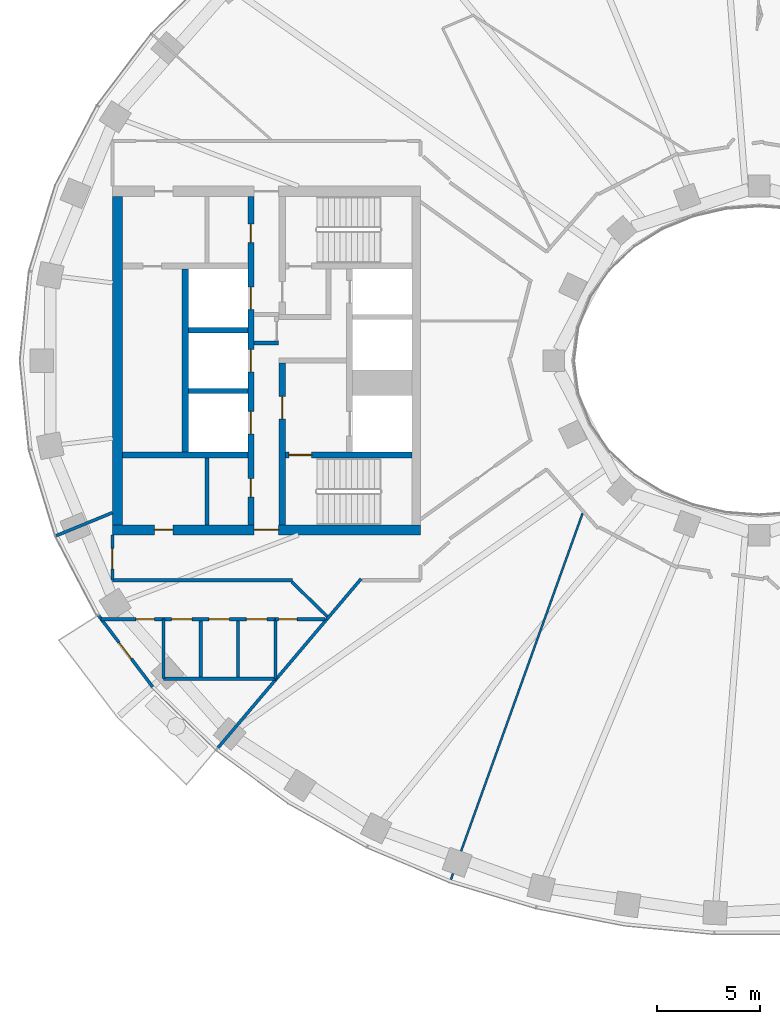
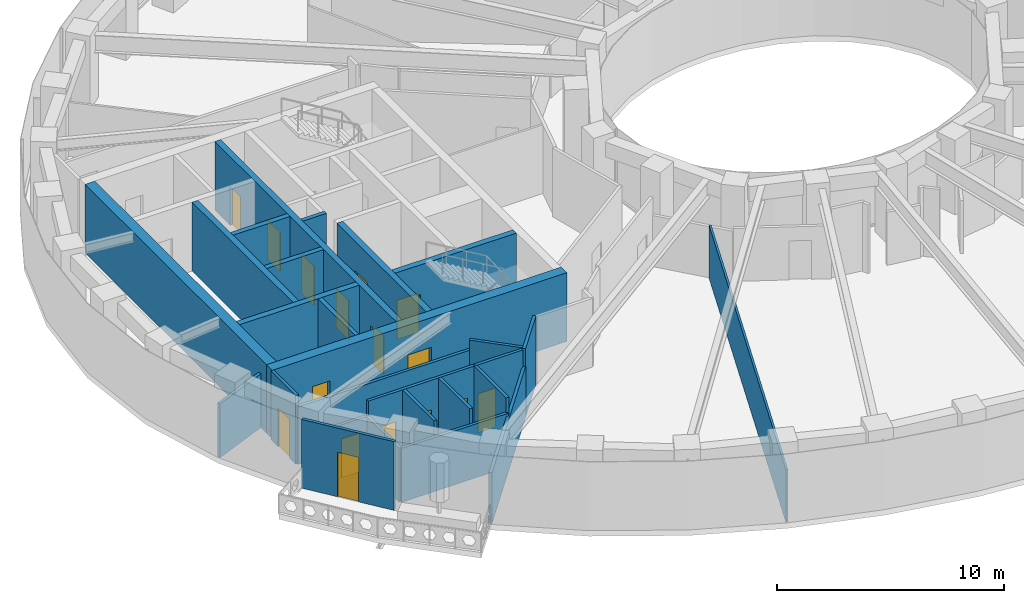
# One storey, part 3 of 16: 27 walls, 16 doors, 16 openings.
"""IFC4 building model written with IfcOpenShell, lengths in metres."""

from ifc_helpers import new_model, si_unit, direction, frame, frame_2d, origin, place, context, subcontext, project, spatial, rectangle, extrude, material, layer, layer_set, type_object, element, fill, save


model = new_model("IFC4")

# Units and contexts
model_context = context("Model", 3, precision=1e-05, world=origin(), true_north=direction((0.0, 1.0)))
body_context = subcontext(model_context, "Body", "Model", "MODEL_VIEW")
ifc_project = project(units=[si_unit("LENGTHUNIT", "METRE"), si_unit("AREAUNIT", "SQUARE_METRE"), si_unit("VOLUMEUNIT", "CUBIC_METRE"), si_unit("PLANEANGLEUNIT", "RADIAN"), si_unit("MASSUNIT", "GRAM", prefix="KILO")], contexts=[model_context])

# Site, building, storey
site_placement = place(None, origin())
site = spatial("IfcSite", under=ifc_project, at=site_placement, CompositionType="ELEMENT")
building_placement = place(site_placement, origin())
building = spatial("IfcBuilding", under=site, at=building_placement, Name="Noorbagh Ring Tower", CompositionType="ELEMENT")
storey_placement = place(building_placement, frame((0.0, 0.0, 186.0)))
storey = spatial("IfcBuildingStorey", under=building, at=storey_placement, Name="L43", CompositionType="ELEMENT", Elevation=186.0)

# Wall, opening, door
ifc_material_1 = material(Name="Gypsum board on steel studs", Category="steel")
ifc_layer_1 = layer(ifc_material_1, 0.14990234375)
ifc_layer_set_1 = layer_set([ifc_layer_1], Name="Gypsum board on steel studs")
wall_type_1 = type_object("IfcWallType", Name="COMPARTMENT PARTITION 150 EI 60", PredefinedType="PARTITIONING", material=ifc_layer_set_1)
wall_1_placement = place(storey_placement, frame((-32.06298828125, -12.60009765625, 0.0), z_axis=(0.0, 0.0, 1.0), x_axis=(1.0, 0.0, 0.0)))
wall_1 = element("IfcWall", 1, at=wall_1_placement, inside=storey, type_object=wall_type_1, Name="L43/wall/P02", PredefinedType="PARTITIONING", context=body_context, shape_type="SweptSolid", body=[
    extrude(rectangle(XDim=3.046875, YDim=0.14990234375, at=frame_2d((1.5234375, 0.0))), origin(), (0.0, 0.0, 1.0), 2.89990234375),
])
opening_1_placement = place(wall_1_placement, frame((1.712890625, 0.0, 0.0)))
opening_1 = element("IfcOpeningElement", 2, at=opening_1_placement, cuts=wall_1, Name="Opening D4", PredefinedType="OPENING", context=body_context, shape_type="SweptSolid", body=[
    extrude(rectangle(XDim=0.89990234375, YDim=2.10009765625, at=frame_2d((0.449951171875, 1.050048828125))), frame((0.0, 0.0849609375, 0.0), z_axis=(0.0, -1.0, 0.0), x_axis=(1.0, 0.0, 0.0)), (0.0, 0.0, 1.0), 0.169921875),
])
ifc_material_2 = material(Name="Timber, painted", Category="wood")
door_type_1 = type_object("IfcDoorType", Name="DOOR 900 X 2100 FD60", OperationType="SINGLE_SWING_LEFT", PredefinedType="DOOR", material=ifc_material_2)
door_1_placement = place(opening_1_placement, origin())
door_1 = element("IfcDoor", 3, at=door_1_placement, inside=storey, type_object=door_type_1, Name="L43-D05", OperationType="SINGLE_SWING_RIGHT", OverallHeight=2.10009765625, OverallWidth=0.89990234375, PredefinedType="DOOR", context=body_context, shape_type="SweptSolid", body=[
    extrude(rectangle(XDim=0.89990234375, YDim=2.10009765625, at=frame_2d((0.449951171875, 1.050048828125))), frame((0.0, 0.02490234375, 0.0), z_axis=(0.0, -1.0, 0.0), x_axis=(1.0, 0.0, 0.0)), (0.0, 0.0, 1.0), 0.050048828125),
])
fill(opening_1, door_1)

# Walls
wall_2_placement = place(storey_placement, frame((-29.01611328125, -15.49609375, 0.0), z_axis=(0.0, 0.0, 1.0), x_axis=(0.0, 1.0, 0.0)))
element("IfcWall", 4, at=wall_2_placement, inside=storey, type_object=wall_type_1, Name="L43/wall/P08", PredefinedType="PARTITIONING", context=body_context, shape_type="SweptSolid", body=[
    extrude(rectangle(XDim=2.89599609375, YDim=0.14990234375, at=frame_2d((1.447998046875, 0.0))), origin(), (0.0, 0.0, 1.0), 2.89990234375),
])
wall_3_placement = place(storey_placement, frame((-29.011962890625, -15.5, 0.0), z_axis=(0.0, 0.0, 1.0), x_axis=(1.0, 0.0, 0.0)))
element("IfcWall", 5, at=wall_3_placement, inside=storey, type_object=wall_type_1, Name="L43/wall/P10", PredefinedType="PARTITIONING", context=body_context, shape_type="SweptSolid", body=[
    extrude(rectangle(XDim=5.4560546875, YDim=0.14990234375, at=frame_2d((2.72802734375, 0.0))), origin(), (0.0, 0.0, 1.0), 2.89990234375),
])
wall_4_placement = place(storey_placement, frame((-26.427978515625, -18.946044921875, 0.0), z_axis=(0.0, 0.0, 1.0), x_axis=(0.646259235329, 0.763117946816, 0.0)))
element("IfcWall", 6, at=wall_4_placement, inside=storey, type_object=wall_type_1, Name="L43/wall/P12", PredefinedType="PARTITIONING", context=body_context, shape_type="SweptSolid", body=[
    extrude(rectangle(XDim=8.38818359375, YDim=0.14990234375, at=frame_2d((4.194091796875, 0.0))), origin(), (0.0, 0.0, 1.0), 2.75),
])
wall_5_placement = place(storey_placement, frame((-23.555908203125, -15.5, 0.0), z_axis=(0.0, 0.0, 1.0), x_axis=(0.0, 1.0, 0.0)))
element("IfcWall", 7, at=wall_5_placement, inside=storey, type_object=wall_type_1, Name="L43/wall/P14", PredefinedType="PARTITIONING", context=body_context, shape_type="SweptSolid", body=[
    extrude(rectangle(XDim=2.89990234375, YDim=0.14990234375, at=frame_2d((1.449951171875, 0.0))), origin(), (0.0, 0.0, 1.0), 3.699951171875),
])

# Wall, opening, door
wall_6_placement = place(storey_placement, frame((-23.555908203125, -12.60009765625, 0.0), z_axis=(0.0, 0.0, 1.0), x_axis=(1.0, 0.0, 0.0)))
wall_6 = element("IfcWall", 8, at=wall_6_placement, inside=storey, type_object=wall_type_1, Name="L43/wall/P15", PredefinedType="PARTITIONING", context=body_context, shape_type="SweptSolid", body=[
    extrude(rectangle(XDim=2.39990234375, YDim=0.14990234375, at=frame_2d((1.199951171875, 0.0))), origin(), (0.0, 0.0, 1.0), 3.699951171875),
])
opening_2_placement = place(wall_6_placement, frame((0.14990234375, 0.0, 0.0)))
opening_2 = element("IfcOpeningElement", 9, at=opening_2_placement, cuts=wall_6, Name="Opening D4", PredefinedType="OPENING", context=body_context, shape_type="SweptSolid", body=[
    extrude(rectangle(XDim=0.89990234375, YDim=2.10009765625, at=frame_2d((0.449951171875, 1.050048828125))), frame((0.0, 0.0849609375, 0.0), z_axis=(0.0, -1.0, 0.0), x_axis=(1.0, 0.0, 0.0)), (0.0, 0.0, 1.0), 0.169921875),
])
door_2_placement = place(opening_2_placement, origin())
door_2 = element("IfcDoor", 10, at=door_2_placement, inside=storey, type_object=door_type_1, Name="L43-D04", OperationType="SINGLE_SWING_LEFT", OverallHeight=2.10009765625, OverallWidth=0.89990234375, PredefinedType="DOOR", context=body_context, shape_type="SweptSolid", body=[
    extrude(rectangle(XDim=0.89990234375, YDim=2.10009765625, at=frame_2d((0.449951171875, 1.050048828125))), frame((0.0, 0.02490234375, 0.0), z_axis=(0.0, -1.0, 0.0), x_axis=(1.0, 0.0, 0.0)), (0.0, 0.0, 1.0), 0.050048828125),
])
fill(opening_2, door_2)

# Walls
ifc_material_3 = material(Name="Gypsum board on steel studs", Category="steel")
ifc_layer_2 = layer(ifc_material_3, 0.199951171875)
ifc_layer_set_2 = layer_set([ifc_layer_2], Name="Gypsum board on steel studs")
wall_type_2 = type_object("IfcWallType", Name="CORE-PARTITION-200", PredefinedType="PARTITIONING", material=ifc_layer_set_2)
wall_7_placement = place(storey_placement, frame((-23.39990234375, 0.85009765625, 0.0), z_axis=(0.0, 0.0, 1.0), x_axis=(-1.0, 0.0, 0.0)))
element("IfcWall", 11, at=wall_7_placement, inside=storey, type_object=wall_type_2, Name="Core partition W", PredefinedType="PARTITIONING", context=body_context, shape_type="SweptSolid", body=[
    extrude(rectangle(XDim=1.2001953125, YDim=0.199951171875, at=frame_2d((0.60009765625, 0.0))), origin(), (0.0, 0.0, 1.0), 3.699951171875),
])
wall_8_placement = place(storey_placement, frame((-26.89990234375, -8.0, 0.0), z_axis=(0.0, 0.0, 1.0), x_axis=(0.0, 1.0, 0.0)))
element("IfcWall", 12, at=wall_8_placement, inside=storey, type_object=wall_type_2, Name="Core partition W", PredefinedType="PARTITIONING", context=body_context, shape_type="SweptSolid", body=[
    extrude(rectangle(XDim=3.25, YDim=0.199951171875, at=frame_2d((1.625, 0.0))), origin(), (0.0, 0.0, 1.0), 3.699951171875),
])
ifc_material_4 = material(Name="Concrete C60/75", Category="concrete")
ifc_layer_3 = layer(ifc_material_4, 0.25)
ifc_layer_set_3 = layer_set([ifc_layer_3], Name="Concrete C60/75")
wall_type_3 = type_object("IfcWallType", Name="CORE-WALL-250-C60-75-EI120", PredefinedType="SHEAR", material=ifc_layer_set_3)
for number, where, z_axis, x_axis, name in (
    (13, (-24.89990234375, -1.47509765625, 0.0), (0.0, 0.0, 1.0), (-1.0, 0.0, 0.0), "Core wall W"),
    (14, (-24.89990234375, 1.47509765625, 0.0), (0.0, 0.0, 1.0), (-1.0, 0.0, 0.0), "Core wall W"),
):
    element("IfcWall", number, at=place(storey_placement, frame(where, z_axis=z_axis, x_axis=x_axis)), inside=storey, type_object=wall_type_3, Name=name, PredefinedType="SHEAR", context=body_context, shape_type="SweptSolid", body=[
        extrude(rectangle(XDim=2.900146484375, YDim=0.25, at=frame_2d((1.4501953125, 0.0))), origin(), (0.0, 0.0, 1.0), 3.699951171875),
    ])
ifc_material_5 = material(Name="Concrete C60/75", Category="concrete")
ifc_layer_4 = layer(ifc_material_5, 0.300048828125)
ifc_layer_set_4 = layer_set([ifc_layer_4], Name="Concrete C60/75")
wall_type_4 = type_object("IfcWallType", Name="CORE-WALL-300-C60-75-EI120", PredefinedType="SHEAR", material=ifc_layer_set_4)
wall_9_placement = place(storey_placement, frame((-27.949951171875, -4.449951171875, 0.0), z_axis=(0.0, 0.0, 1.0), x_axis=(0.0, 1.0, 0.0)))
element("IfcWall", 15, at=wall_9_placement, inside=storey, type_object=wall_type_4, Name="Core wall W", PredefinedType="SHEAR", context=body_context, shape_type="SweptSolid", body=[
    extrude(rectangle(XDim=8.89990234375, YDim=0.300048828125, at=frame_2d((4.449951171875, 0.0))), origin(), (0.0, 0.0, 1.0), 3.699951171875),
])

# Wall, openings, doors
wall_10_placement = place(storey_placement, frame((-24.75, -8.0, 0.0), z_axis=(0.0, 0.0, 1.0), x_axis=(0.0, 1.0, 0.0)))
wall_10 = element("IfcWall", 16, at=wall_10_placement, inside=storey, type_object=wall_type_4, Name="Core wall W", PredefinedType="SHEAR", context=body_context, shape_type="SweptSolid", body=[
    extrude(rectangle(XDim=16.0, YDim=0.300048828125, at=frame_2d((8.0, 0.0))), origin(), (0.0, 0.0, 1.0), 3.699951171875),
])
opening_3_placement = place(wall_10_placement, frame((4.425048828125, 0.0, 0.0)))
opening_3 = element("IfcOpeningElement", 17, at=opening_3_placement, cuts=wall_10, Name="Opening L43-CW03", PredefinedType="OPENING", context=body_context, shape_type="SweptSolid", body=[
    extrude(rectangle(XDim=1.10009765625, YDim=2.10009765625, at=frame_2d((0.550048828125, 1.050048828125))), frame((0.0, 0.16015625, 0.0), z_axis=(0.0, -1.0, 0.0), x_axis=(1.0, 0.0, 0.0)), (0.0, 0.0, 1.0), 0.320068359375),
])
opening_4_placement = place(wall_10_placement, frame((7.449951171875, 0.0, 0.0)))
opening_4 = element("IfcOpeningElement", 18, at=opening_4_placement, cuts=wall_10, Name="Opening L43-CW04", PredefinedType="OPENING", context=body_context, shape_type="SweptSolid", body=[
    extrude(rectangle(XDim=1.10009765625, YDim=2.10009765625, at=frame_2d((0.550048828125, 1.050048828125))), frame((0.0, 0.16015625, 0.0), z_axis=(0.0, -1.0, 0.0), x_axis=(1.0, 0.0, 0.0)), (0.0, 0.0, 1.0), 0.320068359375),
])
opening_5_placement = place(wall_10_placement, frame((10.47509765625, 0.0, 0.0)))
opening_5 = element("IfcOpeningElement", 19, at=opening_5_placement, cuts=wall_10, Name="Opening L43-CW05", PredefinedType="OPENING", context=body_context, shape_type="SweptSolid", body=[
    extrude(rectangle(XDim=1.10009765625, YDim=2.10009765625, at=frame_2d((0.550048828125, 1.050048828125))), frame((0.0, 0.16015625, 0.0), z_axis=(0.0, -1.0, 0.0), x_axis=(1.0, 0.0, 0.0)), (0.0, 0.0, 1.0), 0.320068359375),
])
opening_6_placement = place(wall_10_placement, frame((13.75, 0.0, 0.0)))
opening_6 = element("IfcOpeningElement", 20, at=opening_6_placement, cuts=wall_10, Name="Opening L43-CW12", PredefinedType="OPENING", context=body_context, shape_type="SweptSolid", body=[
    extrude(rectangle(XDim=0.89990234375, YDim=2.10009765625, at=frame_2d((0.449951171875, 1.050048828125))), frame((0.0, 0.16015625, 0.0), z_axis=(0.0, -1.0, 0.0), x_axis=(1.0, 0.0, 0.0)), (0.0, 0.0, 1.0), 0.320068359375),
])
opening_7_placement = place(wall_10_placement, frame((1.35009765625, 0.0, 0.0)))
opening_7 = element("IfcOpeningElement", 21, at=opening_7_placement, cuts=wall_10, Name="Opening L43-CW14", PredefinedType="OPENING", context=body_context, shape_type="SweptSolid", body=[
    extrude(rectangle(XDim=0.89990234375, YDim=2.10009765625, at=frame_2d((0.449951171875, 1.050048828125))), frame((0.0, 0.16015625, 0.0), z_axis=(0.0, -1.0, 0.0), x_axis=(1.0, 0.0, 0.0)), (0.0, 0.0, 1.0), 0.320068359375),
])
ifc_material_6 = material(Name="Steel door leaf", Category="steel")
door_type_2 = type_object("IfcDoorType", Name="CORE-DOOR-DROOM", OperationType="SINGLE_SWING_LEFT", PredefinedType="DOOR", material=ifc_material_6)
door_3_placement = place(opening_6_placement, origin())
door_3 = element("IfcDoor", 22, at=door_3_placement, inside=storey, type_object=door_type_2, Name="Core room door L43-CW12", OperationType="SINGLE_SWING_RIGHT", OverallHeight=2.10009765625, OverallWidth=0.89990234375, PredefinedType="DOOR", context=body_context, shape_type="SweptSolid", body=[
    extrude(rectangle(XDim=0.89990234375, YDim=2.10009765625, at=frame_2d((0.449951171875, 1.050048828125))), frame((0.0, 0.02490234375, 0.0), z_axis=(0.0, -1.0, 0.0), x_axis=(1.0, 0.0, 0.0)), (0.0, 0.0, 1.0), 0.050048828125),
])
fill(opening_6, door_3)
door_4_placement = place(opening_7_placement, origin())
door_4 = element("IfcDoor", 23, at=door_4_placement, inside=storey, type_object=door_type_2, Name="Core room door L43-CW14", OperationType="SINGLE_SWING_LEFT", OverallHeight=2.10009765625, OverallWidth=0.89990234375, PredefinedType="DOOR", context=body_context, shape_type="SweptSolid", body=[
    extrude(rectangle(XDim=0.89990234375, YDim=2.10009765625, at=frame_2d((0.449951171875, 1.050048828125))), frame((0.0, 0.02490234375, 0.0), z_axis=(0.0, -1.0, 0.0), x_axis=(1.0, 0.0, 0.0)), (0.0, 0.0, 1.0), 0.050048828125),
])
fill(opening_7, door_4)
ifc_material_7 = material(Name="Steel door leaf", Category="steel")
door_type_3 = type_object("IfcDoorType", Name="CORE-DOOR-LD", OperationType="DOUBLE_DOOR_SLIDING", PredefinedType="DOOR", material=ifc_material_7)
door_5_placement = place(opening_3_placement, origin())
door_5 = element("IfcDoor", 24, at=door_5_placement, inside=storey, type_object=door_type_3, Name="Landing door HR2 L43-CW03", OperationType="DOUBLE_DOOR_SLIDING", OverallHeight=2.10009765625, OverallWidth=1.10009765625, PredefinedType="DOOR", context=body_context, shape_type="SweptSolid", body=[
    extrude(rectangle(XDim=1.10009765625, YDim=2.10009765625, at=frame_2d((0.550048828125, 1.050048828125))), frame((0.0, 0.02490234375, 0.0), z_axis=(0.0, -1.0, 0.0), x_axis=(1.0, 0.0, 0.0)), (0.0, 0.0, 1.0), 0.050048828125),
])
fill(opening_3, door_5)
door_6_placement = place(opening_4_placement, origin())
door_6 = element("IfcDoor", 25, at=door_6_placement, inside=storey, type_object=door_type_3, Name="Landing door HR3 L43-CW04", OperationType="DOUBLE_DOOR_SLIDING", OverallHeight=2.10009765625, OverallWidth=1.10009765625, PredefinedType="DOOR", context=body_context, shape_type="SweptSolid", body=[
    extrude(rectangle(XDim=1.10009765625, YDim=2.10009765625, at=frame_2d((0.550048828125, 1.050048828125))), frame((0.0, 0.02490234375, 0.0), z_axis=(0.0, -1.0, 0.0), x_axis=(1.0, 0.0, 0.0)), (0.0, 0.0, 1.0), 0.050048828125),
])
fill(opening_4, door_6)
door_7_placement = place(opening_5_placement, origin())
door_7 = element("IfcDoor", 26, at=door_7_placement, inside=storey, type_object=door_type_3, Name="Landing door HR4 L43-CW05", OperationType="DOUBLE_DOOR_SLIDING", OverallHeight=2.10009765625, OverallWidth=1.10009765625, PredefinedType="DOOR", context=body_context, shape_type="SweptSolid", body=[
    extrude(rectangle(XDim=1.10009765625, YDim=2.10009765625, at=frame_2d((0.550048828125, 1.050048828125))), frame((0.0, 0.02490234375, 0.0), z_axis=(0.0, -1.0, 0.0), x_axis=(1.0, 0.0, 0.0)), (0.0, 0.0, 1.0), 0.050048828125),
])
fill(opening_5, door_7)

# Wall
ifc_material_8 = material(Name="Concrete C60/75", Category="concrete")
ifc_layer_5 = layer(ifc_material_8, 0.300048828125)
ifc_layer_set_5 = layer_set([ifc_layer_5], Name="Concrete C60/75")
wall_type_5 = type_object("IfcWallType", Name="CORE-WALL-300-C60-75-EI240", PredefinedType="SHEAR", material=ifc_layer_set_5)
wall_11_placement = place(storey_placement, frame((-24.89990234375, -4.60009765625, 0.0), z_axis=(0.0, 0.0, 1.0), x_axis=(-1.0, 0.0, 0.0)))
element("IfcWall", 27, at=wall_11_placement, inside=storey, type_object=wall_type_5, Name="Core wall W", PredefinedType="SHEAR", context=body_context, shape_type="SweptSolid", body=[
    extrude(rectangle(XDim=6.10009765625, YDim=0.300048828125, at=frame_2d((3.050048828125, 0.0))), origin(), (0.0, 0.0, 1.0), 3.699951171875),
])

# Wall, opening, door
wall_12_placement = place(storey_placement, frame((-23.22998046875, -8.0, 0.0), z_axis=(0.0, 0.0, 1.0), x_axis=(0.0, 1.0, 0.0)))
wall_12 = element("IfcWall", 28, at=wall_12_placement, inside=storey, type_object=wall_type_5, Name="Core wall W", PredefinedType="SHEAR", context=body_context, shape_type="SweptSolid", body=[
    extrude(rectangle(XDim=7.875, YDim=0.300048828125, at=frame_2d((3.9375, 0.0))), origin(), (0.0, 0.0, 1.0), 3.699951171875),
])
opening_8_placement = place(wall_12_placement, frame((5.14990234375, 0.0, 0.0)))
opening_8 = element("IfcOpeningElement", 29, at=opening_8_placement, cuts=wall_12, Name="Opening L43-CW08", PredefinedType="OPENING", context=body_context, shape_type="SweptSolid", body=[
    extrude(rectangle(XDim=1.10009765625, YDim=2.10009765625, at=frame_2d((0.550048828125, 1.050048828125))), frame((0.0, 0.16015625, 0.0), z_axis=(0.0, -1.0, 0.0), x_axis=(1.0, 0.0, 0.0)), (0.0, 0.0, 1.0), 0.320068359375),
])
ifc_material_9 = material(Name="Steel door leaf", Category="steel")
door_type_4 = type_object("IfcDoorType", Name="CORE-DOOR-DFF", OperationType="SINGLE_SWING_LEFT", PredefinedType="DOOR", material=ifc_material_9)
door_8_placement = place(opening_8_placement, origin())
door_8 = element("IfcDoor", 30, at=door_8_placement, inside=storey, type_object=door_type_4, Name="Firefighting lobby door L43-CW08", OperationType="SINGLE_SWING_LEFT", OverallHeight=2.10009765625, OverallWidth=1.10009765625, PredefinedType="DOOR", context=body_context, shape_type="SweptSolid", body=[
    extrude(rectangle(XDim=1.10009765625, YDim=2.10009765625, at=frame_2d((0.550048828125, 1.050048828125))), frame((0.0, 0.02490234375, 0.0), z_axis=(0.0, -1.0, 0.0), x_axis=(1.0, 0.0, 0.0)), (0.0, 0.0, 1.0), 0.050048828125),
])
fill(opening_8, door_8)

wall_13_placement = place(storey_placement, frame((-16.89990234375, -4.60009765625, 0.0), z_axis=(0.0, 0.0, 1.0), x_axis=(-1.0, 0.0, 0.0)))
wall_13 = element("IfcWall", 31, at=wall_13_placement, inside=storey, type_object=wall_type_5, Name="Core wall W", PredefinedType="SHEAR", context=body_context, shape_type="SweptSolid", body=[
    extrude(rectangle(XDim=6.18017578125, YDim=0.300048828125, at=frame_2d((3.090087890625, 0.0))), origin(), (0.0, 0.0, 1.0), 3.699951171875),
])
opening_9_placement = place(wall_13_placement, frame((4.89990234375, 0.0, 0.0)))
opening_9 = element("IfcOpeningElement", 32, at=opening_9_placement, cuts=wall_13, Name="Opening L43-CW07", PredefinedType="OPENING", context=body_context, shape_type="SweptSolid", body=[
    extrude(rectangle(XDim=1.10009765625, YDim=2.10009765625, at=frame_2d((0.550048828125, 1.050048828125))), frame((0.0, 0.16015625, 0.0), z_axis=(0.0, -1.0, 0.0), x_axis=(1.0, 0.0, 0.0)), (0.0, 0.0, 1.0), 0.320068359375),
])
ifc_material_10 = material(Name="Steel door leaf", Category="steel")
door_type_5 = type_object("IfcDoorType", Name="CORE-DOOR-DSTAIR", OperationType="SINGLE_SWING_LEFT", PredefinedType="DOOR", material=ifc_material_10)
door_9_placement = place(opening_9_placement, origin())
door_9 = element("IfcDoor", 33, at=door_9_placement, inside=storey, type_object=door_type_5, Name="Stair door ST2 L43-CW07", OperationType="SINGLE_SWING_LEFT", OverallHeight=2.10009765625, OverallWidth=1.10009765625, PredefinedType="DOOR", context=body_context, shape_type="SweptSolid", body=[
    extrude(rectangle(XDim=1.10009765625, YDim=2.10009765625, at=frame_2d((0.550048828125, 1.050048828125))), frame((0.0, 0.02490234375, 0.0), z_axis=(0.0, -1.0, 0.0), x_axis=(1.0, 0.0, 0.0)), (0.0, 0.0, 1.0), 0.050048828125),
])
fill(opening_9, door_9)

# Wall, openings, doors
ifc_material_11 = material(Name="Concrete C60/75", Category="concrete")
ifc_layer_6 = layer(ifc_material_11, 0.5)
ifc_layer_set_6 = layer_set([ifc_layer_6], Name="Concrete C60/75")
wall_type_6 = type_object("IfcWallType", Name="CORE-WALL-500-C60-75-EI240", PredefinedType="SHEAR", material=ifc_layer_set_6)
wall_14_placement = place(storey_placement, frame((-16.5, -8.25, 0.0), z_axis=(0.0, 0.0, 1.0), x_axis=(-1.0, 0.0, 0.0)))
wall_14 = element("IfcWall", 34, at=wall_14_placement, inside=storey, type_object=wall_type_6, Name="Core wall W", PredefinedType="SHEAR", context=body_context, shape_type="SweptSolid", body=[
    extrude(rectangle(XDim=15.0, YDim=0.5, at=frame_2d((7.5, 0.0))), origin(), (0.0, 0.0, 1.0), 3.699951171875),
])
opening_10_placement = place(wall_14_placement, frame((6.89990234375, 0.0, 0.0)))
opening_10 = element("IfcOpeningElement", 35, at=opening_10_placement, cuts=wall_14, Name="Opening L43-CW11", PredefinedType="OPENING", context=body_context, shape_type="SweptSolid", body=[
    extrude(rectangle(XDim=1.199951171875, YDim=2.10009765625, at=frame_2d((0.60009765625, 1.050048828125))), frame((0.0, 0.260009765625, 0.0), z_axis=(0.0, -1.0, 0.0), x_axis=(1.0, 0.0, 0.0)), (0.0, 0.0, 1.0), 0.52001953125),
])
opening_11_placement = place(wall_14_placement, frame((12.050048828125, 0.0, 0.0)))
opening_11 = element("IfcOpeningElement", 36, at=opening_11_placement, cuts=wall_14, Name="Opening L43-CW15", PredefinedType="OPENING", context=body_context, shape_type="SweptSolid", body=[
    extrude(rectangle(XDim=0.89990234375, YDim=2.10009765625, at=frame_2d((0.449951171875, 1.050048828125))), frame((0.0, 0.260009765625, 0.0), z_axis=(0.0, -1.0, 0.0), x_axis=(1.0, 0.0, 0.0)), (0.0, 0.0, 1.0), 0.52001953125),
])
door_10_placement = place(opening_11_placement, origin())
door_10 = element("IfcDoor", 37, at=door_10_placement, inside=storey, type_object=door_type_2, Name="Core room door L43-CW15", OperationType="SINGLE_SWING_LEFT", OverallHeight=2.10009765625, OverallWidth=0.89990234375, PredefinedType="DOOR", context=body_context, shape_type="SweptSolid", body=[
    extrude(rectangle(XDim=0.89990234375, YDim=2.10009765625, at=frame_2d((0.449951171875, 1.050048828125))), frame((0.0, 0.02490234375, 0.0), z_axis=(0.0, -1.0, 0.0), x_axis=(1.0, 0.0, 0.0)), (0.0, 0.0, 1.0), 0.050048828125),
])
fill(opening_11, door_10)
ifc_material_12 = material(Name="Steel door leaf", Category="steel")
door_type_6 = type_object("IfcDoorType", Name="CORE-DOOR-PORT", OperationType="DOUBLE_DOOR_DOUBLE_SWING", PredefinedType="DOOR", material=ifc_material_12)
door_11_placement = place(opening_10_placement, origin())
door_11 = element("IfcDoor", 38, at=door_11_placement, inside=storey, type_object=door_type_6, Name="Core entrance door L43-CW11", OperationType="DOUBLE_DOOR_DOUBLE_SWING", OverallHeight=2.10009765625, OverallWidth=1.199951171875, PredefinedType="DOOR", context=body_context, shape_type="SweptSolid", body=[
    extrude(rectangle(XDim=1.199951171875, YDim=2.10009765625, at=frame_2d((0.60009765625, 1.050048828125))), frame((0.0, 0.02490234375, 0.0), z_axis=(0.0, -1.0, 0.0), x_axis=(1.0, 0.0, 0.0)), (0.0, 0.0, 1.0), 0.050048828125),
])
fill(opening_10, door_11)

# Walls
wall_15_placement = place(storey_placement, frame((-31.25, -8.0, 0.0), z_axis=(0.0, 0.0, 1.0), x_axis=(0.0, 1.0, 0.0)))
element("IfcWall", 39, at=wall_15_placement, inside=storey, type_object=wall_type_6, Name="Core wall W", PredefinedType="SHEAR", context=body_context, shape_type="SweptSolid", body=[
    extrude(rectangle(XDim=16.0, YDim=0.5, at=frame_2d((8.0, 0.0))), origin(), (0.0, 0.0, 1.0), 3.699951171875),
])
ifc_material_13 = material(Name="Gypsum board on steel studs", Category="steel")
ifc_layer_7 = layer(ifc_material_13, 0.14990234375)
ifc_layer_set_7 = layer_set([ifc_layer_7], Name="Gypsum board on steel studs")
wall_type_7 = type_object("IfcWallType", Name="CORRIDOR PARTITION 150 EI 30", PredefinedType="PARTITIONING", material=ifc_layer_set_7)
wall_16_placement = place(storey_placement, frame((-34.23388671875, -8.530029296875, 0.0), z_axis=(0.0, 0.0, 1.0), x_axis=(0.925344112436, 0.379128307542, 0.0)))
element("IfcWall", 40, at=wall_16_placement, inside=storey, type_object=wall_type_7, Name="L43/wall/P01", PredefinedType="PARTITIONING", context=body_context, shape_type="SweptSolid", body=[
    extrude(rectangle(XDim=2.954345703125, YDim=0.14990234375, at=frame_2d((1.47705078125, 0.0))), origin(), (0.0, 0.0, 1.0), 2.89990234375),
])

# Wall, opening, door
wall_17_placement = place(storey_placement, frame((-31.5, -10.699951171875, 0.0), z_axis=(0.0, 0.0, 1.0), x_axis=(0.0, 1.0, 0.0)))
wall_17 = element("IfcWall", 41, at=wall_17_placement, inside=storey, type_object=wall_type_7, Name="L43/wall/P03", PredefinedType="PARTITIONING", context=body_context, shape_type="SweptSolid", body=[
    extrude(rectangle(XDim=2.199951171875, YDim=0.14990234375, at=frame_2d((1.10009765625, 0.0))), origin(), (0.0, 0.0, 1.0), 3.699951171875),
])
opening_12_placement = place(wall_17_placement, frame((0.550048828125, 0.0, 0.0)))
opening_12 = element("IfcOpeningElement", 42, at=opening_12_placement, cuts=wall_17, Name="Opening D1", PredefinedType="OPENING", context=body_context, shape_type="SweptSolid", body=[
    extrude(rectangle(XDim=1.0, YDim=2.10009765625, at=frame_2d((0.5, 1.050048828125))), frame((0.0, 0.0849609375, 0.0), z_axis=(0.0, -1.0, 0.0), x_axis=(1.0, 0.0, 0.0)), (0.0, 0.0, 1.0), 0.169921875),
])
ifc_material_14 = material(Name="Timber, painted", Category="wood")
door_type_7 = type_object("IfcDoorType", Name="DOOR 1000 X 2100 FD30", OperationType="SINGLE_SWING_LEFT", PredefinedType="DOOR", material=ifc_material_14)
door_12_placement = place(opening_12_placement, origin())
door_12 = element("IfcDoor", 43, at=door_12_placement, inside=storey, type_object=door_type_7, Name="L43-D21", OperationType="SINGLE_SWING_LEFT", OverallHeight=2.10009765625, OverallWidth=1.0, PredefinedType="DOOR", context=body_context, shape_type="SweptSolid", body=[
    extrude(rectangle(XDim=1.0, YDim=2.10009765625, at=frame_2d((0.5, 1.050048828125))), frame((0.0, 0.02490234375, 0.0), z_axis=(0.0, -1.0, 0.0), x_axis=(1.0, 0.0, 0.0)), (0.0, 0.0, 1.0), 0.050048828125),
])
fill(opening_12, door_12)

# Wall
wall_18_placement = place(storey_placement, frame((-31.5, -10.699951171875, 0.0), z_axis=(0.0, 0.0, 1.0), x_axis=(1.0, 0.0, 0.0)))
element("IfcWall", 44, at=wall_18_placement, inside=storey, type_object=wall_type_7, Name="L43/wall/P04", PredefinedType="PARTITIONING", context=body_context, shape_type="SweptSolid", body=[
    extrude(rectangle(XDim=8.761962890625, YDim=0.14990234375, at=frame_2d((4.380859375, 0.0))), origin(), (0.0, 0.0, 1.0), 3.10009765625),
])

# Wall, openings, doors
wall_19_placement = place(storey_placement, frame((-29.01611328125, -12.60009765625, 0.0), z_axis=(0.0, 0.0, 1.0), x_axis=(1.0, 0.0, 0.0)))
wall_19 = element("IfcWall", 45, at=wall_19_placement, inside=storey, type_object=wall_type_7, Name="L43/wall/P09", PredefinedType="PARTITIONING", context=body_context, shape_type="SweptSolid", body=[
    extrude(rectangle(XDim=5.460205078125, YDim=0.14990234375, at=frame_2d((2.72998046875, 0.0))), origin(), (0.0, 0.0, 1.0), 3.699951171875),
])
opening_13_placement = place(wall_19_placement, frame((0.39990234375, 0.0, 0.0)))
opening_13 = element("IfcOpeningElement", 46, at=opening_13_placement, cuts=wall_19, Name="Opening D3", PredefinedType="OPENING", context=body_context, shape_type="SweptSolid", body=[
    extrude(rectangle(XDim=1.0, YDim=2.10009765625, at=frame_2d((0.5, 1.050048828125))), frame((0.0, 0.0849609375, 0.0), z_axis=(0.0, -1.0, 0.0), x_axis=(1.0, 0.0, 0.0)), (0.0, 0.0, 1.0), 0.169921875),
])
opening_14_placement = place(wall_19_placement, frame((2.219970703125, 0.0, 0.0)))
opening_14 = element("IfcOpeningElement", 47, at=opening_14_placement, cuts=wall_19, Name="Opening D3", PredefinedType="OPENING", context=body_context, shape_type="SweptSolid", body=[
    extrude(rectangle(XDim=1.0, YDim=2.10009765625, at=frame_2d((0.5, 1.050048828125))), frame((0.0, 0.0849609375, 0.0), z_axis=(0.0, -1.0, 0.0), x_axis=(1.0, 0.0, 0.0)), (0.0, 0.0, 1.0), 0.169921875),
])
opening_15_placement = place(wall_19_placement, frame((4.0400390625, 0.0, 0.0)))
opening_15 = element("IfcOpeningElement", 48, at=opening_15_placement, cuts=wall_19, Name="Opening D3", PredefinedType="OPENING", context=body_context, shape_type="SweptSolid", body=[
    extrude(rectangle(XDim=1.0, YDim=2.10009765625, at=frame_2d((0.5, 1.050048828125))), frame((0.0, 0.0849609375, 0.0), z_axis=(0.0, -1.0, 0.0), x_axis=(1.0, 0.0, 0.0)), (0.0, 0.0, 1.0), 0.169921875),
])
ifc_material_15 = material(Name="Timber, painted", Category="wood")
door_type_8 = type_object("IfcDoorType", Name="DOOR 1000 X 2100 WC", OperationType="SINGLE_SWING_LEFT", PredefinedType="DOOR", material=ifc_material_15)
door_13_placement = place(opening_13_placement, origin())
door_13 = element("IfcDoor", 49, at=door_13_placement, inside=storey, type_object=door_type_8, Name="L43-D01", OperationType="SINGLE_SWING_LEFT", OverallHeight=2.10009765625, OverallWidth=1.0, PredefinedType="DOOR", context=body_context, shape_type="SweptSolid", body=[
    extrude(rectangle(XDim=1.0, YDim=2.10009765625, at=frame_2d((0.5, 1.050048828125))), frame((0.0, 0.02490234375, 0.0), z_axis=(0.0, -1.0, 0.0), x_axis=(1.0, 0.0, 0.0)), (0.0, 0.0, 1.0), 0.050048828125),
])
fill(opening_13, door_13)
door_14_placement = place(opening_14_placement, origin())
door_14 = element("IfcDoor", 50, at=door_14_placement, inside=storey, type_object=door_type_8, Name="L43-D02", OperationType="SINGLE_SWING_RIGHT", OverallHeight=2.10009765625, OverallWidth=1.0, PredefinedType="DOOR", context=body_context, shape_type="SweptSolid", body=[
    extrude(rectangle(XDim=1.0, YDim=2.10009765625, at=frame_2d((0.5, 1.050048828125))), frame((0.0, 0.02490234375, 0.0), z_axis=(0.0, -1.0, 0.0), x_axis=(1.0, 0.0, 0.0)), (0.0, 0.0, 1.0), 0.050048828125),
])
fill(opening_14, door_14)
door_15_placement = place(opening_15_placement, origin())
door_15 = element("IfcDoor", 51, at=door_15_placement, inside=storey, type_object=door_type_8, Name="L43-D03", OperationType="SINGLE_SWING_LEFT", OverallHeight=2.10009765625, OverallWidth=1.0, PredefinedType="DOOR", context=body_context, shape_type="SweptSolid", body=[
    extrude(rectangle(XDim=1.0, YDim=2.10009765625, at=frame_2d((0.5, 1.050048828125))), frame((0.0, 0.02490234375, 0.0), z_axis=(0.0, -1.0, 0.0), x_axis=(1.0, 0.0, 0.0)), (0.0, 0.0, 1.0), 0.050048828125),
])
fill(opening_15, door_15)

# Walls
for number, where, z_axis, x_axis, name in (
    (52, (-27.196044921875, -15.425048828125, 0.0), (0.0, 0.0, 1.0), (0.0, 1.0, 0.0), "L43/wall/P11"),
    (53, (-25.3759765625, -15.425048828125, 0.0), (0.0, 0.0, 1.0), (0.0, 1.0, 0.0), "L43/wall/P13"),
):
    element("IfcWall", number, at=place(storey_placement, frame(where, z_axis=z_axis, x_axis=x_axis)), inside=storey, type_object=wall_type_7, Name=name, PredefinedType="PARTITIONING", context=body_context, shape_type="SweptSolid", body=[
        extrude(rectangle(XDim=2.75, YDim=0.14990234375, at=frame_2d((1.375, 0.0))), origin(), (0.0, 0.0, 1.0), 3.699951171875),
    ])
wall_20_placement = place(storey_placement, frame((-22.764892578125, -10.778076171875, 0.0), z_axis=(0.0, 0.0, 1.0), x_axis=(0.716199777284, -0.69789532096, 0.0)))
element("IfcWall", 54, at=wall_20_placement, inside=storey, type_object=wall_type_7, Name="L43/wall/P16", PredefinedType="PARTITIONING", context=body_context, shape_type="SweptSolid", body=[
    extrude(rectangle(XDim=2.4140625, YDim=0.14990234375, at=frame_2d((1.20703125, 0.0))), origin(), (0.0, 0.0, 1.0), 3.699951171875),
])
wall_21_placement = place(storey_placement, frame((-21.05810546875, -12.60498046875, 0.0), z_axis=(0.0, 0.0, 1.0), x_axis=(0.646427819344, 0.762975146632, 0.0)))
element("IfcWall", 55, at=wall_21_placement, inside=storey, type_object=wall_type_7, Name="L43/wall/P17", PredefinedType="PARTITIONING", context=body_context, shape_type="SweptSolid", body=[
    extrude(rectangle(XDim=2.59130859375, YDim=0.14990234375, at=frame_2d((1.295654296875, 0.0))), origin(), (0.0, 0.0, 1.0), 3.699951171875),
])

# Wall, opening, door
ifc_material_16 = material(Name="Insulated aluminium clad panel", Category="aluminium")
ifc_layer_8 = layer(ifc_material_16, 0.14990234375)
ifc_layer_set_8 = layer_set([ifc_layer_8], Name="Insulated aluminium clad panel")
wall_type_8 = type_object("IfcWallType", Name="ENV-WALL-DOOR", PredefinedType="STANDARD", material=ifc_layer_set_8)
wall_22_placement = place(storey_placement, frame((-32.20751953125, -12.37353515625, 0.0), z_axis=(0.0, 0.0, 1.0), x_axis=(0.604045763106, -0.796949632081, 0.0)))
wall_22 = element("IfcWall", 56, at=wall_22_placement, inside=storey, type_object=wall_type_8, Name="Balcony door wall chord 27", PredefinedType="STANDARD", context=body_context, shape_type="SweptSolid", body=[
    extrude(rectangle(XDim=4.42333984375, YDim=0.14990234375, at=frame_2d((2.211669921875, 0.0))), origin(), (0.0, 0.0, 1.0), 3.699951171875),
])
opening_16_placement = place(wall_22_placement, frame((1.711669921875, 0.0, 0.0)))
opening_16 = element("IfcOpeningElement", 57, at=opening_16_placement, cuts=wall_22, Name="Opening D-BL", PredefinedType="OPENING", context=body_context, shape_type="SweptSolid", body=[
    extrude(rectangle(XDim=1.0, YDim=2.39990234375, at=frame_2d((0.5, 1.199951171875))), frame((0.0, 0.0849609375, 0.0), z_axis=(0.0, -1.0, 0.0), x_axis=(1.0, 0.0, 0.0)), (0.0, 0.0, 1.0), 0.169921875),
])
ifc_material_17 = material(Name="Aluminium and glass", Category="aluminium")
door_type_9 = type_object("IfcDoorType", Name="ENV-DOOR-BALCONY", OperationType="SINGLE_SWING_LEFT", PredefinedType="DOOR", material=ifc_material_17)
door_16_placement = place(opening_16_placement, origin())
door_16 = element("IfcDoor", 58, at=door_16_placement, inside=storey, type_object=door_type_9, Name="Balcony door chord 27", OperationType="SINGLE_SWING_RIGHT", OverallHeight=2.39990234375, OverallWidth=1.0, PredefinedType="DOOR", context=body_context, shape_type="SweptSolid", body=[
    extrude(rectangle(XDim=1.0, YDim=2.39990234375, at=frame_2d((0.5, 1.199951171875))), frame((0.0, 0.02490234375, 0.0), z_axis=(0.0, -1.0, 0.0), x_axis=(1.0, 0.0, 0.0)), (0.0, 0.0, 1.0), 0.050048828125),
])
fill(opening_16, door_16)

# Wall
ifc_material_18 = material(Name="Gypsum board on steel studs", Category="steel")
ifc_layer_9 = layer(ifc_material_18, 0.10009765625)
ifc_layer_set_9 = layer_set([ifc_layer_9], Name="Gypsum board on steel studs")
wall_type_9 = type_object("IfcWallType", Name="PARTITION 100 GYPSUM", PredefinedType="PARTITIONING", material=ifc_layer_set_9)
wall_23_placement = place(storey_placement, frame((-15.049072265625, -25.383056640625, 0.0), z_axis=(0.0, 0.0, 1.0), x_axis=(0.338407677895, 0.940999598056, 0.0)))
element("IfcWall", 59, at=wall_23_placement, inside=storey, type_object=wall_type_9, Name="L43/wall/P28", PredefinedType="PARTITIONING", context=body_context, shape_type="SweptSolid", body=[
    extrude(rectangle(XDim=19.07763671875, YDim=0.10009765625, at=frame_2d((9.538818359375, 0.0))), origin(), (0.0, 0.0, 1.0), 2.85009765625),
])

save(model, "model.ifc")
